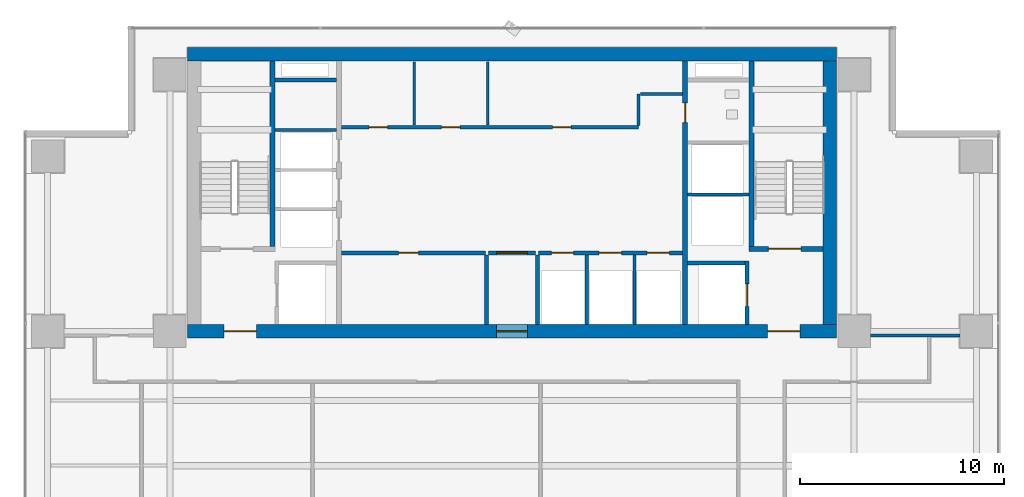
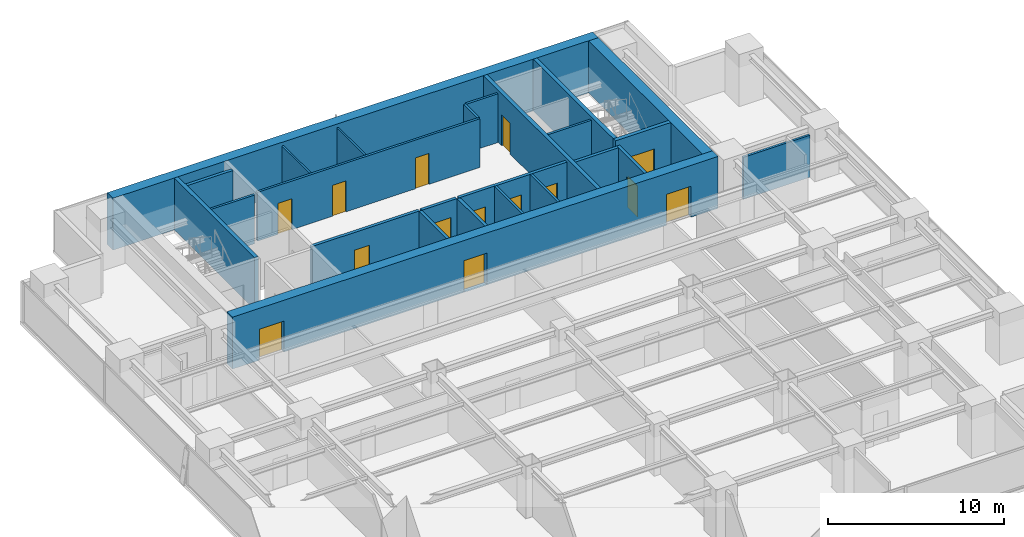
# One storey, part 22 of 28: 25 walls, 14 doors, 14 openings.
"""IFC4 building model written with IfcOpenShell, lengths in metres."""

from ifc_helpers import new_model, si_unit, direction, frame, frame_2d, origin, place, context, subcontext, project, spatial, rectangle, extrude, source, transform, mapped, material, layer, layer_set, type_object, element, fill, save


model = new_model("IFC4")

# Units and contexts
model_context = context("Model", 3, precision=1e-05, world=origin(), true_north=direction((0.0, 1.0)))
body_context = subcontext(model_context, "Body", "Model", "MODEL_VIEW")
ifc_project = project(units=[si_unit("LENGTHUNIT", "METRE"), si_unit("AREAUNIT", "SQUARE_METRE"), si_unit("VOLUMEUNIT", "CUBIC_METRE"), si_unit("PLANEANGLEUNIT", "RADIAN"), si_unit("MASSUNIT", "GRAM", prefix="KILO")], contexts=[model_context])

# Site, building, storey
site_placement = place(None, origin())
site = spatial("IfcSite", under=ifc_project, at=site_placement, CompositionType="ELEMENT")
building_placement = place(site_placement, origin())
building = spatial("IfcBuilding", under=site, at=building_placement, Name="Sumidabori Civic Tower", CompositionType="ELEMENT")
storey_placement = place(building_placement, frame((0.0, 0.0, 149.60009765625)))
storey = spatial("IfcBuildingStorey", under=building, at=storey_placement, Name="L38", CompositionType="ELEMENT", Elevation=149.60009765625)

# Walls
ifc_material_1 = material(Name="Concrete C50/60", Category="concrete")
ifc_layer_1 = layer(ifc_material_1, 0.199951171875, Name="Concrete C50/60")
ifc_layer_set_1 = layer_set([ifc_layer_1], Name="Concrete C50/60")
wall_type_1 = type_object("IfcWallType", Name="WL-SHAFT-200", PredefinedType="SHEAR", material=ifc_layer_set_1)
shared_shape_1 = source(origin(), body_context, "Body", "SweptSolid", [
    extrude(rectangle(XDim=2.824951171875, YDim=0.199951171875, at=frame_2d((1.41259765625, 0.0))), origin(), (0.0, 0.0, 1.0), 3.599853515625),
])
wall_1_placement = place(storey_placement, frame((8.625, 13.550048828125, 0.0), z_axis=(0.0, 0.0, 1.0), x_axis=(1.0, 0.0, 0.0)))
element("IfcWall", 1, at=wall_1_placement, inside=storey, type_object=wall_type_1, Name="Core Shear Wall L38 EL2-N", PredefinedType="SHEAR", context=body_context, shape_type="MappedRepresentation", body=[
    mapped(shared_shape_1, transform((0.0, 0.0, 0.0), x_axis=(1.0, 0.0, 0.0), y_axis=(0.0, 1.0, 0.0), z_axis=(0.0, 0.0, 1.0), scale=1.0)),
])
shared_shape_2 = source(origin(), body_context, "Body", "SweptSolid", [
    extrude(rectangle(XDim=3.02001953125, YDim=0.199951171875, at=frame_2d((1.510009765625, 0.0))), origin(), (0.0, 0.0, 1.0), 3.599853515625),
])
wall_2_placement = place(storey_placement, frame((-11.64501953125, 22.550048828125, 0.0), z_axis=(0.0, 0.0, 1.0), x_axis=(1.0, 0.0, 0.0)))
element("IfcWall", 2, at=wall_2_placement, inside=storey, type_object=wall_type_1, Name="Core Shear Wall L38 RIS1-S", PredefinedType="SHEAR", context=body_context, shape_type="MappedRepresentation", body=[
    mapped(shared_shape_2, transform((0.0, 0.0, 0.0), x_axis=(1.0, 0.0, 0.0), y_axis=(0.0, 1.0, 0.0), z_axis=(0.0, 0.0, 1.0), scale=1.0)),
])
ifc_material_2 = material(Name="Concrete C60/75", Category="concrete")
ifc_layer_2 = layer(ifc_material_2, 0.64990234375, Name="Concrete C60/75")
ifc_layer_set_2 = layer_set([ifc_layer_2], Name="Concrete C60/75")
wall_type_2 = type_object("IfcWallType", Name="WL-CORE-650", PredefinedType="SHEAR", material=ifc_layer_set_2)
shared_shape_3 = source(origin(), body_context, "Body", "SweptSolid", [
    extrude(rectangle(XDim=31.85009765625, YDim=0.64990234375, at=frame_2d((15.925048828125, 0.0))), origin(), (0.0, 0.0, 1.0), 3.599853515625),
])
wall_3_placement = place(storey_placement, frame((-15.925048828125, 23.800048828125, 0.0), z_axis=(0.0, 0.0, 1.0), x_axis=(1.0, 0.0, 0.0)))
element("IfcWall", 3, at=wall_3_placement, inside=storey, type_object=wall_type_2, Name="Core Shear Wall L38 N", PredefinedType="SHEAR", context=body_context, shape_type="MappedRepresentation", body=[
    mapped(shared_shape_3, transform((0.0, 0.0, 0.0), x_axis=(1.0, 0.0, 0.0), y_axis=(0.0, 1.0, 0.0), z_axis=(0.0, 0.0, 1.0), scale=1.0)),
])

# Wall, openings, doors
wall_4_placement = place(storey_placement, frame((-15.925048828125, 10.199951171875, 0.0), z_axis=(0.0, 0.0, 1.0), x_axis=(1.0, 0.0, 0.0)))
wall_4 = element("IfcWall", 4, at=wall_4_placement, inside=storey, type_object=wall_type_2, Name="Core Shear Wall L38 S", PredefinedType="SHEAR", context=body_context, shape_type="MappedRepresentation", body=[
    mapped(shared_shape_3, transform((0.0, 0.0, 0.0), x_axis=(1.0, 0.0, 0.0), y_axis=(0.0, 1.0, 0.0), z_axis=(0.0, 0.0, 1.0), scale=1.0)),
])
opening_1_placement = place(wall_4_placement, frame((1.77490234375, 0.0, 0.0)))
opening_1 = element("IfcOpeningElement", 5, at=opening_1_placement, cuts=wall_4, Name="Opening DR-FD4", PredefinedType="OPENING", context=body_context, shape_type="SweptSolid", body=[
    extrude(rectangle(XDim=1.60009765625, YDim=2.14990234375, at=frame_2d((0.800048828125, 1.074951171875))), frame((0.0, 0.3369140625, 0.0), z_axis=(0.0, -1.0, 0.0), x_axis=(1.0, 0.0, 0.0)), (0.0, 0.0, 1.0), 0.673828125),
])
opening_2_placement = place(wall_4_placement, frame((28.47509765625, 0.0, 0.0)))
opening_2 = element("IfcOpeningElement", 6, at=opening_2_placement, cuts=wall_4, Name="Opening DR-FD4", PredefinedType="OPENING", context=body_context, shape_type="SweptSolid", body=[
    extrude(rectangle(XDim=1.60009765625, YDim=2.14990234375, at=frame_2d((0.800048828125, 1.074951171875))), frame((0.0, 0.3369140625, 0.0), z_axis=(0.0, -1.0, 0.0), x_axis=(1.0, 0.0, 0.0)), (0.0, 0.0, 1.0), 0.673828125),
])
opening_3_placement = place(wall_4_placement, frame((15.175048828125, 0.0, 0.0)))
opening_3 = element("IfcOpeningElement", 7, at=opening_3_placement, cuts=wall_4, Name="Opening DR-FD3", PredefinedType="OPENING", context=body_context, shape_type="SweptSolid", body=[
    extrude(rectangle(XDim=1.5, YDim=2.199951171875, at=frame_2d((0.75, 1.10009765625))), frame((0.0, 0.3369140625, 0.0), z_axis=(0.0, -1.0, 0.0), x_axis=(1.0, 0.0, 0.0)), (0.0, 0.0, 1.0), 0.673828125),
])
ifc_material_3 = material(Name="Steel SN490", Category="steel")
door_type_1 = type_object("IfcDoorType", Name="DR-FD4", OperationType="DOUBLE_DOOR_SINGLE_SWING", PredefinedType="DOOR", material=ifc_material_3)
shared_shape_4 = source(origin(), body_context, "Body", "SweptSolid", [
    extrude(rectangle(XDim=1.60009765625, YDim=2.14990234375, at=frame_2d((0.800048828125, 1.074951171875))), frame((0.0, 0.02490234375, 0.0), z_axis=(0.0, -1.0, 0.0), x_axis=(1.0, 0.0, 0.0)), (0.0, 0.0, 1.0), 0.050048828125),
])
door_1_placement = place(opening_1_placement, origin())
door_1 = element("IfcDoor", 8, at=door_1_placement, inside=storey, type_object=door_type_1, Name="Door DR:L38:ELOB-W", OperationType="DOUBLE_DOOR_SINGLE_SWING", OverallHeight=2.14990234375, OverallWidth=1.60009765625, PredefinedType="DOOR", context=body_context, shape_type="MappedRepresentation", body=[
    mapped(shared_shape_4, transform((0.0, 0.0, 0.0), x_axis=(1.0, 0.0, 0.0), y_axis=(0.0, 1.0, 0.0), z_axis=(0.0, 0.0, 1.0), scale=1.0)),
])
fill(opening_1, door_1)
door_2_placement = place(opening_2_placement, origin())
door_2 = element("IfcDoor", 9, at=door_2_placement, inside=storey, type_object=door_type_1, Name="Door DR:L38:ELOB-E", OperationType="DOUBLE_DOOR_SINGLE_SWING", OverallHeight=2.14990234375, OverallWidth=1.60009765625, PredefinedType="DOOR", context=body_context, shape_type="MappedRepresentation", body=[
    mapped(shared_shape_4, transform((0.0, 0.0, 0.0), x_axis=(1.0, 0.0, 0.0), y_axis=(0.0, 1.0, 0.0), z_axis=(0.0, 0.0, 1.0), scale=1.0)),
])
fill(opening_2, door_2)
door_type_2 = type_object("IfcDoorType", Name="DR-FD-DBL", OperationType="DOUBLE_DOOR_SINGLE_SWING", PredefinedType="DOOR", material=ifc_material_3)
shared_shape_5 = source(origin(), body_context, "Body", "SweptSolid", [
    extrude(rectangle(XDim=1.5, YDim=2.199951171875, at=frame_2d((0.75, 1.10009765625))), frame((0.0, 0.02490234375, 0.0), z_axis=(0.0, -1.0, 0.0), x_axis=(1.0, 0.0, 0.0)), (0.0, 0.0, 1.0), 0.050048828125),
])
door_3_placement = place(opening_3_placement, origin())
door_3 = element("IfcDoor", 10, at=door_3_placement, inside=storey, type_object=door_type_2, Name="Door DR:L38:THROAT-OUT", OperationType="DOUBLE_DOOR_SINGLE_SWING", OverallHeight=2.199951171875, OverallWidth=1.5, PredefinedType="DOOR", context=body_context, shape_type="MappedRepresentation", body=[
    mapped(shared_shape_5, transform((0.0, 0.0, 0.0), x_axis=(1.0, 0.0, 0.0), y_axis=(0.0, 1.0, 0.0), z_axis=(0.0, 0.0, 1.0), scale=1.0)),
])
fill(opening_3, door_3)

# Wall
shared_shape_6 = source(origin(), body_context, "Body", "SweptSolid", [
    extrude(rectangle(XDim=12.9501953125, YDim=0.64990234375, at=frame_2d((6.47509765625, 0.0))), origin(), (0.0, 0.0, 1.0), 3.599853515625),
])
wall_5_placement = place(storey_placement, frame((15.60009765625, 10.52490234375, 0.0), z_axis=(0.0, 0.0, 1.0), x_axis=(0.0, 1.0, 0.0)))
element("IfcWall", 11, at=wall_5_placement, inside=storey, type_object=wall_type_2, Name="Core Shear Wall L38 E", PredefinedType="SHEAR", context=body_context, shape_type="MappedRepresentation", body=[
    mapped(shared_shape_6, transform((0.0, 0.0, 0.0), x_axis=(1.0, 0.0, 0.0), y_axis=(0.0, 1.0, 0.0), z_axis=(0.0, 0.0, 1.0), scale=1.0)),
])

# Wall, opening, door
ifc_layer_3 = layer(ifc_material_1, 0.25, Name="Concrete C50/60")
ifc_layer_set_3 = layer_set([ifc_layer_3], Name="Concrete C50/60")
wall_type_3 = type_object("IfcWallType", Name="WL-SHAFT-250", PredefinedType="SHEAR", material=ifc_layer_set_3)
shared_shape_7 = source(origin(), body_context, "Body", "SweptSolid", [
    extrude(rectangle(XDim=12.9501953125, YDim=0.25, at=frame_2d((6.47509765625, 0.0))), origin(), (0.0, 0.0, 1.0), 3.599853515625),
])
wall_6_placement = place(storey_placement, frame((8.5, 10.52490234375, 0.0), z_axis=(0.0, 0.0, 1.0), x_axis=(0.0, 1.0, 0.0)))
wall_6 = element("IfcWall", 12, at=wall_6_placement, inside=storey, type_object=wall_type_3, Name="Core Shear Wall L38 WEB-E", PredefinedType="SHEAR", context=body_context, shape_type="MappedRepresentation", body=[
    mapped(shared_shape_7, transform((0.0, 0.0, 0.0), x_axis=(1.0, 0.0, 0.0), y_axis=(0.0, 1.0, 0.0), z_axis=(0.0, 0.0, 1.0), scale=1.0)),
])
opening_4_placement = place(wall_6_placement, frame((9.925048828125, 0.0, 0.0)))
opening_4 = element("IfcOpeningElement", 13, at=opening_4_placement, cuts=wall_6, Name="Opening DR-2", PredefinedType="OPENING", context=body_context, shape_type="SweptSolid", body=[
    extrude(rectangle(XDim=0.949951171875, YDim=2.14990234375, at=frame_2d((0.47509765625, 1.074951171875))), frame((0.0, 0.136962890625, 0.0), z_axis=(0.0, -1.0, 0.0), x_axis=(1.0, 0.0, 0.0)), (0.0, 0.0, 1.0), 0.27392578125),
])
ifc_material_4 = material(Name="Japanese Hinoki Timber", Category="wood")
door_type_3 = type_object("IfcDoorType", Name="DR-INT-950", OperationType="NOTDEFINED", PredefinedType="DOOR", material=ifc_material_4)
shared_shape_8 = source(origin(), body_context, "Body", "SweptSolid", [
    extrude(rectangle(XDim=0.949951171875, YDim=2.14990234375, at=frame_2d((0.47509765625, 1.074951171875))), frame((0.0, 0.02490234375, 0.0), z_axis=(0.0, -1.0, 0.0), x_axis=(1.0, 0.0, 0.0)), (0.0, 0.0, 1.0), 0.050048828125),
])
door_4_placement = place(opening_4_placement, origin())
door_4 = element("IfcDoor", 14, at=door_4_placement, inside=storey, type_object=door_type_3, Name="Door DR:L38:WC-ACC", OperationType="SINGLE_SWING_RIGHT", OverallHeight=2.14990234375, OverallWidth=0.949951171875, PredefinedType="DOOR", context=body_context, shape_type="MappedRepresentation", body=[
    mapped(shared_shape_8, transform((0.0, 0.0, 0.0), x_axis=(1.0, 0.0, 0.0), y_axis=(0.0, 1.0, 0.0), z_axis=(0.0, 0.0, 1.0), scale=1.0)),
])
fill(opening_4, door_4)

shared_shape_9 = source(origin(), body_context, "Body", "SweptSolid", [
    extrude(rectangle(XDim=3.6298828125, YDim=0.25, at=frame_2d((1.81494140625, 0.0))), origin(), (0.0, 0.0, 1.0), 3.599853515625),
])
wall_7_placement = place(storey_placement, frame((11.64501953125, 14.25, 0.0), z_axis=(0.0, 0.0, 1.0), x_axis=(1.0, 0.0, 0.0)))
wall_7 = element("IfcWall", 15, at=wall_7_placement, inside=storey, type_object=wall_type_3, Name="Core Shear Wall L38 ST2-S", PredefinedType="SHEAR", context=body_context, shape_type="MappedRepresentation", body=[
    mapped(shared_shape_9, transform((0.0, 0.0, 0.0), x_axis=(1.0, 0.0, 0.0), y_axis=(0.0, 1.0, 0.0), z_axis=(0.0, 0.0, 1.0), scale=1.0)),
])
opening_5_placement = place(wall_7_placement, frame((0.949951171875, 0.0, 0.0)))
opening_5 = element("IfcOpeningElement", 16, at=opening_5_placement, cuts=wall_7, Name="Opening DR-FD4", PredefinedType="OPENING", context=body_context, shape_type="SweptSolid", body=[
    extrude(rectangle(XDim=1.60009765625, YDim=2.14990234375, at=frame_2d((0.800048828125, 1.074951171875))), frame((0.0, 0.136962890625, 0.0), z_axis=(0.0, -1.0, 0.0), x_axis=(1.0, 0.0, 0.0)), (0.0, 0.0, 1.0), 0.27392578125),
])
door_5_placement = place(opening_5_placement, origin())
door_5 = element("IfcDoor", 17, at=door_5_placement, inside=storey, type_object=door_type_1, Name="Door DR:L38:ST2", OperationType="DOUBLE_DOOR_SINGLE_SWING", OverallHeight=2.14990234375, OverallWidth=1.60009765625, PredefinedType="DOOR", context=body_context, shape_type="MappedRepresentation", body=[
    mapped(shared_shape_4, transform((0.0, 0.0, 0.0), x_axis=(1.0, 0.0, 0.0), y_axis=(0.0, 1.0, 0.0), z_axis=(0.0, 0.0, 1.0), scale=1.0)),
])
fill(opening_5, door_5)

# Walls
shared_shape_10 = source(origin(), body_context, "Body", "SweptSolid", [
    extrude(rectangle(XDim=9.10009765625, YDim=0.25, at=frame_2d((4.550048828125, 0.0))), origin(), (0.0, 0.0, 1.0), 3.599853515625),
])
for number, where, z_axis, x_axis, name in (
    (18, (-11.77001953125, 14.375, 0.0), (0.0, 0.0, 1.0), (0.0, 1.0, 0.0), "Core Shear Wall L38 ST1-E"),
    (19, (11.77001953125, 14.375, 0.0), (0.0, 0.0, 1.0), (0.0, 1.0, 0.0), "Core Shear Wall L38 ST2-W"),
):
    element("IfcWall", number, at=place(storey_placement, frame(where, z_axis=z_axis, x_axis=x_axis)), inside=storey, type_object=wall_type_3, Name=name, PredefinedType="SHEAR", context=body_context, shape_type="MappedRepresentation", body=[
        mapped(shared_shape_10, transform((0.0, 0.0, 0.0), x_axis=(1.0, 0.0, 0.0), y_axis=(0.0, 1.0, 0.0), z_axis=(0.0, 0.0, 1.0), scale=1.0)),
    ])

# Wall, opening, door
shared_shape_11 = source(origin(), body_context, "Body", "SweptSolid", [
    extrude(rectangle(XDim=3.125, YDim=0.199951171875, at=frame_2d((1.5625, 0.0))), origin(), (0.0, 0.0, 1.0), 3.599853515625),
])
wall_8_placement = place(storey_placement, frame((11.550048828125, 10.52490234375, 0.0), z_axis=(0.0, 0.0, 1.0), x_axis=(0.0, 1.0, 0.0)))
wall_8 = element("IfcWall", 20, at=wall_8_placement, inside=storey, type_object=wall_type_1, Name="Core Shear Wall L38 EL2-E", PredefinedType="SHEAR", context=body_context, shape_type="MappedRepresentation", body=[
    mapped(shared_shape_11, transform((0.0, 0.0, 0.0), x_axis=(1.0, 0.0, 0.0), y_axis=(0.0, 1.0, 0.0), z_axis=(0.0, 0.0, 1.0), scale=1.0)),
])
opening_6_placement = place(wall_8_placement, frame((0.89990234375, 0.0, 0.0)))
opening_6 = element("IfcOpeningElement", 21, at=opening_6_placement, cuts=wall_8, Name="Opening LD-2", PredefinedType="OPENING", context=body_context, shape_type="SweptSolid", body=[
    extrude(rectangle(XDim=1.10009765625, YDim=2.14990234375, at=frame_2d((0.550048828125, 1.074951171875))), frame((0.0, 0.11181640625, 0.0), z_axis=(0.0, -1.0, 0.0), x_axis=(1.0, 0.0, 0.0)), (0.0, 0.0, 1.0), 0.223876953125),
])
ifc_material_5 = material(Name="Stainless Steel Hairline Finish", Category="steel")
door_type_4 = type_object("IfcDoorType", Name="DR-LD2", OperationType="DOUBLE_DOOR_SLIDING", PredefinedType="DOOR", material=ifc_material_5)
shared_shape_12 = source(origin(), body_context, "Body", "SweptSolid", [
    extrude(rectangle(XDim=1.10009765625, YDim=2.14990234375, at=frame_2d((0.550048828125, 1.074951171875))), frame((0.0, 0.02490234375, 0.0), z_axis=(0.0, -1.0, 0.0), x_axis=(1.0, 0.0, 0.0)), (0.0, 0.0, 1.0), 0.050048828125),
])
door_6_placement = place(opening_6_placement, origin())
door_6 = element("IfcDoor", 22, at=door_6_placement, inside=storey, type_object=door_type_4, Name="Door DR:L38:LD-EL2", OperationType="DOUBLE_DOOR_SLIDING", OverallHeight=2.14990234375, OverallWidth=1.10009765625, PredefinedType="DOOR", context=body_context, shape_type="MappedRepresentation", body=[
    mapped(shared_shape_12, transform((0.0, 0.0, 0.0), x_axis=(1.0, 0.0, 0.0), y_axis=(0.0, 1.0, 0.0), z_axis=(0.0, 0.0, 1.0), scale=1.0)),
])
fill(opening_6, door_6)

# Walls
ifc_material_6 = material(Name="Gypsum Plasterboard Acoustic Partition")
ifc_layer_4 = layer(ifc_material_6, 0.14990234375, Name="Gypsum Plasterboard Acoustic Partition")
ifc_layer_set_4 = layer_set([ifc_layer_4], Name="Gypsum Plasterboard Acoustic Partition")
wall_type_4 = type_object("IfcWallType", Name="WL-PART-150", PredefinedType="PARTITIONING", material=ifc_layer_set_4)
shared_shape_13 = source(origin(), body_context, "Body", "SweptSolid", [
    extrude(rectangle(XDim=3.010009765625, YDim=0.14990234375, at=frame_2d((1.5048828125, 0.0))), origin(), (0.0, 0.0, 1.0), 3.3798828125),
])
for number, where, z_axis, x_axis, name in (
    (23, (-11.639892578125, 20.080078125, 0.0), (0.0, 0.0, 1.0), (1.0, 0.0, 0.0), "Interior Partition WL:L38:DIV-PLH3"),
    (24, (8.6298828125, 16.919921875, 0.0), (0.0, 0.0, 1.0), (1.0, 0.0, 0.0), "Interior Partition WL:L38:DIV-OBS1"),
):
    element("IfcWall", number, at=place(storey_placement, frame(where, z_axis=z_axis, x_axis=x_axis)), inside=storey, type_object=wall_type_4, Name=name, PredefinedType="PARTITIONING", context=body_context, shape_type="MappedRepresentation", body=[
        mapped(shared_shape_13, transform((0.0, 0.0, 0.0), x_axis=(1.0, 0.0, 0.0), y_axis=(0.0, 1.0, 0.0), z_axis=(0.0, 0.0, 1.0), scale=1.0)),
    ])

# Wall, opening, door
ifc_material_7 = material(Name="Gypsum Plasterboard Fire Partition")
ifc_layer_5 = layer(ifc_material_7, 0.199951171875, Name="Gypsum Plasterboard Fire Partition")
ifc_layer_set_5 = layer_set([ifc_layer_5], Name="Gypsum Plasterboard Fire Partition")
wall_type_5 = type_object("IfcWallType", Name="WL-PART-FIRE", PredefinedType="PARTITIONING", material=ifc_layer_set_5)
shared_shape_14 = source(origin(), body_context, "Body", "SweptSolid", [
    extrude(rectangle(XDim=7.070068359375, YDim=0.199951171875, at=frame_2d((3.53515625, 0.0))), origin(), (0.0, 0.0, 1.0), 3.3798828125),
])
wall_9_placement = place(storey_placement, frame((-8.3701171875, 14.050048828125, 0.0), z_axis=(0.0, 0.0, 1.0), x_axis=(1.0, 0.0, 0.0)))
wall_9 = element("IfcWall", 25, at=wall_9_placement, inside=storey, type_object=wall_type_5, Name="Interior Partition WL:L38:CBAND-SW", PredefinedType="PARTITIONING", context=body_context, shape_type="MappedRepresentation", body=[
    mapped(shared_shape_14, transform((0.0, 0.0, 0.0), x_axis=(1.0, 0.0, 0.0), y_axis=(0.0, 1.0, 0.0), z_axis=(0.0, 0.0, 1.0), scale=1.0)),
])
opening_7_placement = place(wall_9_placement, frame((2.800048828125, 0.0, 0.0)))
opening_7 = element("IfcOpeningElement", 26, at=opening_7_placement, cuts=wall_9, Name="Opening DR-3", PredefinedType="OPENING", context=body_context, shape_type="SweptSolid", body=[
    extrude(rectangle(XDim=0.97998046875, YDim=2.14990234375, at=frame_2d((0.489990234375, 1.074951171875))), frame((0.0, 0.11181640625, 0.0), z_axis=(0.0, -1.0, 0.0), x_axis=(1.0, 0.0, 0.0)), (0.0, 0.0, 1.0), 0.223876953125),
])
door_type_5 = type_object("IfcDoorType", Name="DR-INT-980", OperationType="NOTDEFINED", PredefinedType="DOOR", material=ifc_material_4)
shared_shape_15 = source(origin(), body_context, "Body", "SweptSolid", [
    extrude(rectangle(XDim=0.97998046875, YDim=2.14990234375, at=frame_2d((0.489990234375, 1.074951171875))), frame((0.0, 0.02490234375, 0.0), z_axis=(0.0, -1.0, 0.0), x_axis=(1.0, 0.0, 0.0)), (0.0, 0.0, 1.0), 0.050048828125),
])
door_7_placement = place(opening_7_placement, origin())
door_7 = element("IfcDoor", 27, at=door_7_placement, inside=storey, type_object=door_type_5, Name="Door DR:L38:REC-B1", OperationType="SINGLE_SWING_LEFT", OverallHeight=2.14990234375, OverallWidth=0.97998046875, PredefinedType="DOOR", context=body_context, shape_type="MappedRepresentation", body=[
    mapped(shared_shape_15, transform((0.0, 0.0, 0.0), x_axis=(1.0, 0.0, 0.0), y_axis=(0.0, 1.0, 0.0), z_axis=(0.0, 0.0, 1.0), scale=1.0)),
])
fill(opening_7, door_7)

# Wall, openings, doors
wall_10_placement = place(storey_placement, frame((1.300048828125, 14.050048828125, 0.0), z_axis=(0.0, 0.0, 1.0), x_axis=(1.0, 0.0, 0.0)))
wall_10 = element("IfcWall", 28, at=wall_10_placement, inside=storey, type_object=wall_type_5, Name="Interior Partition WL:L38:CBAND-SE", PredefinedType="PARTITIONING", context=body_context, shape_type="MappedRepresentation", body=[
    mapped(shared_shape_14, transform((0.0, 0.0, 0.0), x_axis=(1.0, 0.0, 0.0), y_axis=(0.0, 1.0, 0.0), z_axis=(0.0, 0.0, 1.0), scale=1.0)),
])
opening_8_placement = place(wall_10_placement, frame((0.6298828125, 0.0, 0.0)))
opening_8 = element("IfcOpeningElement", 29, at=opening_8_placement, cuts=wall_10, Name="Opening LD-1", PredefinedType="OPENING", context=body_context, shape_type="SweptSolid", body=[
    extrude(rectangle(XDim=1.10009765625, YDim=2.14990234375, at=frame_2d((0.550048828125, 1.074951171875))), frame((0.0, 0.11181640625, 0.0), z_axis=(0.0, -1.0, 0.0), x_axis=(1.0, 0.0, 0.0)), (0.0, 0.0, 1.0), 0.223876953125),
])
opening_9_placement = place(wall_10_placement, frame((2.97998046875, 0.0, 0.0)))
opening_9 = element("IfcOpeningElement", 30, at=opening_9_placement, cuts=wall_10, Name="Opening LD-1", PredefinedType="OPENING", context=body_context, shape_type="SweptSolid", body=[
    extrude(rectangle(XDim=1.10009765625, YDim=2.14990234375, at=frame_2d((0.550048828125, 1.074951171875))), frame((0.0, 0.11181640625, 0.0), z_axis=(0.0, -1.0, 0.0), x_axis=(1.0, 0.0, 0.0)), (0.0, 0.0, 1.0), 0.223876953125),
])
opening_10_placement = place(wall_10_placement, frame((5.330078125, 0.0, 0.0)))
opening_10 = element("IfcOpeningElement", 31, at=opening_10_placement, cuts=wall_10, Name="Opening LD-1", PredefinedType="OPENING", context=body_context, shape_type="SweptSolid", body=[
    extrude(rectangle(XDim=1.10009765625, YDim=2.14990234375, at=frame_2d((0.550048828125, 1.074951171875))), frame((0.0, 0.11181640625, 0.0), z_axis=(0.0, -1.0, 0.0), x_axis=(1.0, 0.0, 0.0)), (0.0, 0.0, 1.0), 0.223876953125),
])
door_type_6 = type_object("IfcDoorType", Name="DR-LD1", OperationType="DOUBLE_DOOR_SLIDING", PredefinedType="DOOR", material=ifc_material_5)
door_8_placement = place(opening_8_placement, origin())
door_8 = element("IfcDoor", 32, at=door_8_placement, inside=storey, type_object=door_type_6, Name="Door DR:L38:LD-PLM1", OperationType="DOUBLE_DOOR_SLIDING", OverallHeight=2.14990234375, OverallWidth=1.10009765625, PredefinedType="DOOR", context=body_context, shape_type="MappedRepresentation", body=[
    mapped(shared_shape_12, transform((0.0, 0.0, 0.0), x_axis=(1.0, 0.0, 0.0), y_axis=(0.0, 1.0, 0.0), z_axis=(0.0, 0.0, 1.0), scale=1.0)),
])
fill(opening_8, door_8)
door_9_placement = place(opening_9_placement, origin())
door_9 = element("IfcDoor", 33, at=door_9_placement, inside=storey, type_object=door_type_6, Name="Door DR:L38:LD-PLM2", OperationType="DOUBLE_DOOR_SLIDING", OverallHeight=2.14990234375, OverallWidth=1.10009765625, PredefinedType="DOOR", context=body_context, shape_type="MappedRepresentation", body=[
    mapped(shared_shape_12, transform((0.0, 0.0, 0.0), x_axis=(1.0, 0.0, 0.0), y_axis=(0.0, 1.0, 0.0), z_axis=(0.0, 0.0, 1.0), scale=1.0)),
])
fill(opening_9, door_9)
door_10_placement = place(opening_10_placement, origin())
door_10 = element("IfcDoor", 34, at=door_10_placement, inside=storey, type_object=door_type_6, Name="Door DR:L38:LD-PLM3", OperationType="DOUBLE_DOOR_SLIDING", OverallHeight=2.14990234375, OverallWidth=1.10009765625, PredefinedType="DOOR", context=body_context, shape_type="MappedRepresentation", body=[
    mapped(shared_shape_12, transform((0.0, 0.0, 0.0), x_axis=(1.0, 0.0, 0.0), y_axis=(0.0, 1.0, 0.0), z_axis=(0.0, 0.0, 1.0), scale=1.0)),
])
fill(opening_10, door_10)

# Walls
shared_shape_16 = source(origin(), body_context, "Body", "SweptSolid", [
    extrude(rectangle(XDim=3.4150390625, YDim=0.199951171875, at=frame_2d((1.70751953125, 0.0))), origin(), (0.0, 0.0, 1.0), 3.3798828125),
])
for number, where, z_axis, x_axis, name in (
    (35, (-1.25, 10.52490234375, 0.0), (0.0, 0.0, 1.0), (0.0, 1.0, 0.0), "Interior Partition WL:L38:THROAT-W"),
    (36, (1.25, 10.52490234375, 0.0), (0.0, 0.0, 1.0), (0.0, 1.0, 0.0), "Interior Partition WL:L38:THROAT-E"),
):
    element("IfcWall", number, at=place(storey_placement, frame(where, z_axis=z_axis, x_axis=x_axis)), inside=storey, type_object=wall_type_5, Name=name, PredefinedType="PARTITIONING", context=body_context, shape_type="MappedRepresentation", body=[
        mapped(shared_shape_16, transform((0.0, 0.0, 0.0), x_axis=(1.0, 0.0, 0.0), y_axis=(0.0, 1.0, 0.0), z_axis=(0.0, 0.0, 1.0), scale=1.0)),
    ])

# Wall, opening, door
shared_shape_17 = source(origin(), body_context, "Body", "SweptSolid", [
    extrude(rectangle(XDim=2.2998046875, YDim=0.199951171875, at=frame_2d((1.14990234375, 0.0))), origin(), (0.0, 0.0, 1.0), 3.3798828125),
])
wall_11_placement = place(storey_placement, frame((-1.14990234375, 14.050048828125, 0.0), z_axis=(0.0, 0.0, 1.0), x_axis=(1.0, 0.0, 0.0)))
wall_11 = element("IfcWall", 37, at=wall_11_placement, inside=storey, type_object=wall_type_5, Name="Interior Partition WL:L38:THROAT-N", PredefinedType="PARTITIONING", context=body_context, shape_type="MappedRepresentation", body=[
    mapped(shared_shape_17, transform((0.0, 0.0, 0.0), x_axis=(1.0, 0.0, 0.0), y_axis=(0.0, 1.0, 0.0), z_axis=(0.0, 0.0, 1.0), scale=1.0)),
])
opening_11_placement = place(wall_11_placement, frame((0.39990234375, 0.0, 0.0)))
opening_11 = element("IfcOpeningElement", 38, at=opening_11_placement, cuts=wall_11, Name="Opening DR-FD3", PredefinedType="OPENING", context=body_context, shape_type="SweptSolid", body=[
    extrude(rectangle(XDim=1.5, YDim=2.199951171875, at=frame_2d((0.75, 1.10009765625))), frame((0.0, 0.11181640625, 0.0), z_axis=(0.0, -1.0, 0.0), x_axis=(1.0, 0.0, 0.0)), (0.0, 0.0, 1.0), 0.223876953125),
])
door_11_placement = place(opening_11_placement, origin())
door_11 = element("IfcDoor", 39, at=door_11_placement, inside=storey, type_object=door_type_2, Name="Door DR:L38:THROAT-IN", OperationType="DOUBLE_DOOR_SINGLE_SWING", OverallHeight=2.199951171875, OverallWidth=1.5, PredefinedType="DOOR", context=body_context, shape_type="MappedRepresentation", body=[
    mapped(shared_shape_5, transform((0.0, 0.0, 0.0), x_axis=(1.0, 0.0, 0.0), y_axis=(0.0, 1.0, 0.0), z_axis=(0.0, 0.0, 1.0), scale=1.0)),
])
fill(opening_11, door_11)

# Wall, openings, doors
shared_shape_18 = source(origin(), body_context, "Body", "SweptSolid", [
    extrude(rectangle(XDim=14.590087890625, YDim=0.14990234375, at=frame_2d((7.294921875, 0.0))), origin(), (0.0, 0.0, 1.0), 3.3798828125),
])
wall_12_placement = place(storey_placement, frame((-8.3701171875, 20.219970703125, 0.0), z_axis=(0.0, 0.0, 1.0), x_axis=(1.0, 0.0, 0.0)))
wall_12 = element("IfcWall", 40, at=wall_12_placement, inside=storey, type_object=wall_type_4, Name="Interior Partition WL:L38:CBAND-M", PredefinedType="PARTITIONING", context=body_context, shape_type="MappedRepresentation", body=[
    mapped(shared_shape_18, transform((0.0, 0.0, 0.0), x_axis=(1.0, 0.0, 0.0), y_axis=(0.0, 1.0, 0.0), z_axis=(0.0, 0.0, 1.0), scale=1.0)),
])
opening_12_placement = place(wall_12_placement, frame((1.360107421875, 0.0, 0.0)))
opening_12 = element("IfcOpeningElement", 41, at=opening_12_placement, cuts=wall_12, Name="Opening DR-1", PredefinedType="OPENING", context=body_context, shape_type="SweptSolid", body=[
    extrude(rectangle(XDim=0.89990234375, YDim=2.14990234375, at=frame_2d((0.449951171875, 1.074951171875))), frame((0.0, 0.0869140625, 0.0), z_axis=(0.0, -1.0, 0.0), x_axis=(1.0, 0.0, 0.0)), (0.0, 0.0, 1.0), 0.173828125),
])
opening_13_placement = place(wall_12_placement, frame((4.919921875, 0.0, 0.0)))
opening_13 = element("IfcOpeningElement", 42, at=opening_13_placement, cuts=wall_12, Name="Opening DR-1", PredefinedType="OPENING", context=body_context, shape_type="SweptSolid", body=[
    extrude(rectangle(XDim=0.89990234375, YDim=2.14990234375, at=frame_2d((0.449951171875, 1.074951171875))), frame((0.0, 0.0869140625, 0.0), z_axis=(0.0, -1.0, 0.0), x_axis=(1.0, 0.0, 0.0)), (0.0, 0.0, 1.0), 0.173828125),
])
opening_14_placement = place(wall_12_placement, frame((10.3701171875, 0.0, 0.0)))
opening_14 = element("IfcOpeningElement", 43, at=opening_14_placement, cuts=wall_12, Name="Opening DR-1", PredefinedType="OPENING", context=body_context, shape_type="SweptSolid", body=[
    extrude(rectangle(XDim=0.89990234375, YDim=2.14990234375, at=frame_2d((0.449951171875, 1.074951171875))), frame((0.0, 0.0869140625, 0.0), z_axis=(0.0, -1.0, 0.0), x_axis=(1.0, 0.0, 0.0)), (0.0, 0.0, 1.0), 0.173828125),
])
door_type_7 = type_object("IfcDoorType", Name="DR-INT-900", OperationType="NOTDEFINED", PredefinedType="DOOR", material=ifc_material_4)
shared_shape_19 = source(origin(), body_context, "Body", "SweptSolid", [
    extrude(rectangle(XDim=0.89990234375, YDim=2.14990234375, at=frame_2d((0.449951171875, 1.074951171875))), frame((0.0, 0.02490234375, 0.0), z_axis=(0.0, -1.0, 0.0), x_axis=(1.0, 0.0, 0.0)), (0.0, 0.0, 1.0), 0.050048828125),
])
door_12_placement = place(opening_12_placement, origin())
door_12 = element("IfcDoor", 44, at=door_12_placement, inside=storey, type_object=door_type_7, Name="Door DR:L38:CB-1", OperationType="SINGLE_SWING_LEFT", OverallHeight=2.14990234375, OverallWidth=0.89990234375, PredefinedType="DOOR", context=body_context, shape_type="MappedRepresentation", body=[
    mapped(shared_shape_19, transform((0.0, 0.0, 0.0), x_axis=(1.0, 0.0, 0.0), y_axis=(0.0, 1.0, 0.0), z_axis=(0.0, 0.0, 1.0), scale=1.0)),
])
fill(opening_12, door_12)
door_13_placement = place(opening_13_placement, origin())
door_13 = element("IfcDoor", 45, at=door_13_placement, inside=storey, type_object=door_type_7, Name="Door DR:L38:CB-2", OperationType="SINGLE_SWING_RIGHT", OverallHeight=2.14990234375, OverallWidth=0.89990234375, PredefinedType="DOOR", context=body_context, shape_type="MappedRepresentation", body=[
    mapped(shared_shape_19, transform((0.0, 0.0, 0.0), x_axis=(1.0, 0.0, 0.0), y_axis=(0.0, 1.0, 0.0), z_axis=(0.0, 0.0, 1.0), scale=1.0)),
])
fill(opening_13, door_13)
door_14_placement = place(opening_14_placement, origin())
door_14 = element("IfcDoor", 46, at=door_14_placement, inside=storey, type_object=door_type_7, Name="Door DR:L38:CB-3", OperationType="SINGLE_SWING_LEFT", OverallHeight=2.14990234375, OverallWidth=0.89990234375, PredefinedType="DOOR", context=body_context, shape_type="MappedRepresentation", body=[
    mapped(shared_shape_19, transform((0.0, 0.0, 0.0), x_axis=(1.0, 0.0, 0.0), y_axis=(0.0, 1.0, 0.0), z_axis=(0.0, 0.0, 1.0), scale=1.0)),
])
fill(opening_14, door_14)

# Walls
shared_shape_20 = source(origin(), body_context, "Body", "SweptSolid", [
    extrude(rectangle(XDim=1.550048828125, YDim=0.14990234375, at=frame_2d((0.77490234375, 0.0))), origin(), (0.0, 0.0, 1.0), 3.3798828125),
])
wall_13_placement = place(storey_placement, frame((6.219970703125, 20.300048828125, 0.0), z_axis=(0.0, 0.0, 1.0), x_axis=(0.0, 1.0, 0.0)))
element("IfcWall", 47, at=wall_13_placement, inside=storey, type_object=wall_type_4, Name="Interior Partition WL:L38:CBAND-ME1", PredefinedType="PARTITIONING", context=body_context, shape_type="MappedRepresentation", body=[
    mapped(shared_shape_20, transform((0.0, 0.0, 0.0), x_axis=(1.0, 0.0, 0.0), y_axis=(0.0, 1.0, 0.0), z_axis=(0.0, 0.0, 1.0), scale=1.0)),
])
shared_shape_21 = source(origin(), body_context, "Body", "SweptSolid", [
    extrude(rectangle(XDim=2.070068359375, YDim=0.14990234375, at=frame_2d((1.03515625, 0.0))), origin(), (0.0, 0.0, 1.0), 3.3798828125),
])
wall_14_placement = place(storey_placement, frame((6.300048828125, 21.85009765625, 0.0), z_axis=(0.0, 0.0, 1.0), x_axis=(1.0, 0.0, 0.0)))
element("IfcWall", 48, at=wall_14_placement, inside=storey, type_object=wall_type_4, Name="Interior Partition WL:L38:CBAND-ME2", PredefinedType="PARTITIONING", context=body_context, shape_type="MappedRepresentation", body=[
    mapped(shared_shape_21, transform((0.0, 0.0, 0.0), x_axis=(1.0, 0.0, 0.0), y_axis=(0.0, 1.0, 0.0), z_axis=(0.0, 0.0, 1.0), scale=1.0)),
])
shared_shape_22 = source(origin(), body_context, "Body", "SweptSolid", [
    extrude(rectangle(XDim=3.4150390625, YDim=0.14990234375, at=frame_2d((1.70751953125, 0.0))), origin(), (0.0, 0.0, 1.0), 3.3798828125),
])
for number, where, z_axis, x_axis, name in (
    (49, (3.669921875, 10.52490234375, 0.0), (0.0, 0.0, 1.0), (0.0, 1.0, 0.0), "Interior Partition WL:L38:DIV-PLM1"),
    (50, (6.02001953125, 10.52490234375, 0.0), (0.0, 0.0, 1.0), (0.0, 1.0, 0.0), "Interior Partition WL:L38:DIV-PLM2"),
):
    element("IfcWall", number, at=place(storey_placement, frame(where, z_axis=z_axis, x_axis=x_axis)), inside=storey, type_object=wall_type_4, Name=name, PredefinedType="PARTITIONING", context=body_context, shape_type="MappedRepresentation", body=[
        mapped(shared_shape_22, transform((0.0, 0.0, 0.0), x_axis=(1.0, 0.0, 0.0), y_axis=(0.0, 1.0, 0.0), z_axis=(0.0, 0.0, 1.0), scale=1.0)),
    ])
ifc_layer_6 = layer(ifc_material_6, 0.1201171875, Name="Gypsum Plasterboard Acoustic Partition")
ifc_layer_set_6 = layer_set([ifc_layer_6], Name="Gypsum Plasterboard Acoustic Partition")
wall_type_6 = type_object("IfcWallType", Name="WL-PART-120", PredefinedType="PARTITIONING", material=ifc_layer_set_6)
shared_shape_23 = source(origin(), body_context, "Body", "SweptSolid", [
    extrude(rectangle(XDim=3.114990234375, YDim=0.1201171875, at=frame_2d((1.5576171875, 0.0))), origin(), (0.0, 0.0, 1.0), 3.3798828125),
])
for number, where, z_axis, x_axis, name in (
    (51, (-4.800048828125, 20.320068359375, 0.0), (0.0, 0.0, 1.0), (0.0, 1.0, 0.0), "Interior Partition WL:L38:LV8-S1"),
    (52, (-1.199951171875, 20.320068359375, 0.0), (0.0, 0.0, 1.0), (0.0, 1.0, 0.0), "Interior Partition WL:L38:LV8-S2"),
):
    element("IfcWall", number, at=place(storey_placement, frame(where, z_axis=z_axis, x_axis=x_axis)), inside=storey, type_object=wall_type_6, Name=name, PredefinedType="PARTITIONING", context=body_context, shape_type="MappedRepresentation", body=[
        mapped(shared_shape_23, transform((0.0, 0.0, 0.0), x_axis=(1.0, 0.0, 0.0), y_axis=(0.0, 1.0, 0.0), z_axis=(0.0, 0.0, 1.0), scale=1.0)),
    ])
shared_shape_24 = source(origin(), body_context, "Body", "SweptSolid", [
    extrude(rectangle(XDim=4.3798828125, YDim=0.14990234375, at=frame_2d((2.18994140625, 0.0))), origin(), (0.0, 0.0, 1.0), 2.914794921875),
])
wall_15_placement = place(storey_placement, frame((17.610107421875, 10.0, 0.0), z_axis=(0.0, 0.0, 1.0), x_axis=(1.0, 0.0, 0.0)))
element("IfcWall", 53, at=wall_15_placement, inside=storey, type_object=wall_type_4, Name="Interior Partition WL:L38:FLK-NE", PredefinedType="PARTITIONING", context=body_context, shape_type="MappedRepresentation", body=[
    mapped(shared_shape_24, transform((0.0, 0.0, 0.0), x_axis=(1.0, 0.0, 0.0), y_axis=(0.0, 1.0, 0.0), z_axis=(0.0, 0.0, 1.0), scale=1.0)),
])

save(model, "model.ifc")
